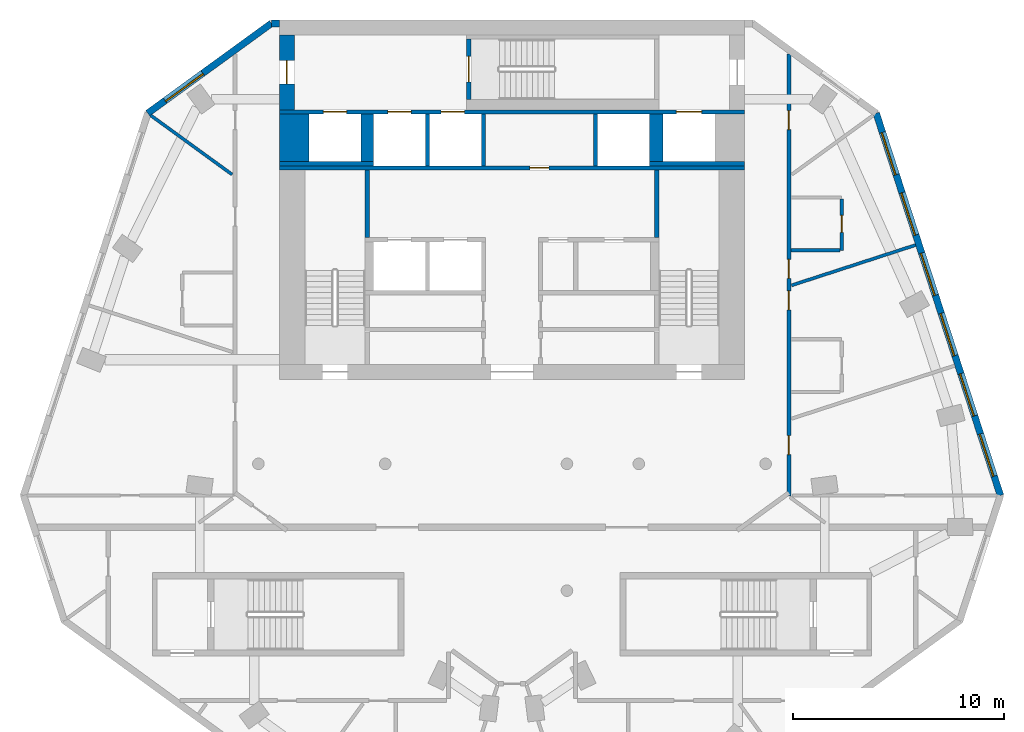
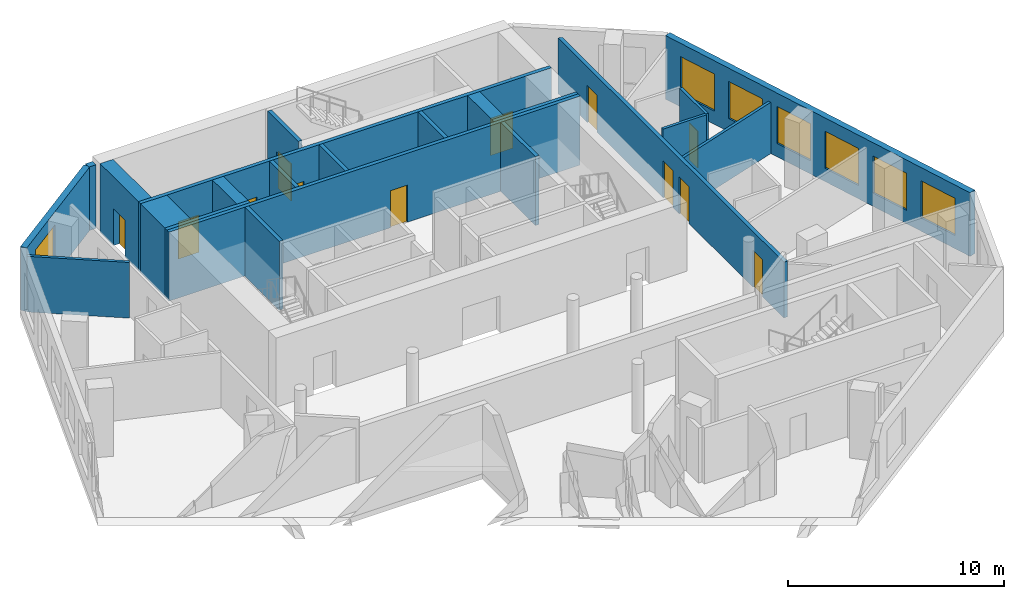
# One storey, part 5 of 8: 22 walls, 12 doors, 7 windows, 19 openings.
"""IFC4 building model written with IfcOpenShell, lengths in metres."""

from ifc_helpers import new_model, si_unit, direction, frame, frame_2d, origin, place, context, subcontext, project, spatial, rectangle, extrude, material, layer, layer_set, type_object, element, fill, save


model = new_model("IFC4")

# Units and contexts
model_context = context("Model", 3, precision=1e-05, world=origin(), true_north=direction((0.0, 1.0)))
body_context = subcontext(model_context, "Body", "Model", "MODEL_VIEW")
ifc_project = project(units=[si_unit("LENGTHUNIT", "METRE"), si_unit("AREAUNIT", "SQUARE_METRE"), si_unit("VOLUMEUNIT", "CUBIC_METRE"), si_unit("PLANEANGLEUNIT", "RADIAN"), si_unit("MASSUNIT", "GRAM", prefix="KILO")], contexts=[model_context])

# Site, building, storey
site_placement = place(None, origin())
site = spatial("IfcSite", under=ifc_project, at=site_placement, CompositionType="ELEMENT")
building_placement = place(site_placement, origin())
building = spatial("IfcBuilding", under=site, at=building_placement, Name="White Candle Pilgrim Tower", CompositionType="ELEMENT")
storey_placement = place(building_placement, frame((0.0, 0.0, 279.5)))
storey = spatial("IfcBuildingStorey", under=building, at=storey_placement, Name="L66", CompositionType="ELEMENT", Elevation=279.5)

# Walls
ifc_material_1 = material(Name="Concrete C50/60", Category="concrete")
ifc_layer_1 = layer(ifc_material_1, 1.39990234375)
ifc_layer_set_1 = layer_set([ifc_layer_1], Name="Core wall 1400 mm Concrete C50/60")
wall_type_1 = type_object("IfcWallType", Name="Core wall 1400 mm Concrete C50/60", PredefinedType="SHEAR", material=ifc_layer_set_1)
wall_1_placement = place(storey_placement, frame((59.699951171875, 81.300048828125, 0.0), z_axis=(0.0, 0.0, 1.0), x_axis=(0.0, 1.0, 0.0)))
element("IfcWall", 1, at=wall_1_placement, inside=storey, type_object=wall_type_1, Name="WL-L66-C42", PredefinedType="SHEAR", context=body_context, shape_type="SweptSolid", body=[
    extrude(rectangle(XDim=2.25, YDim=1.39990234375, at=frame_2d((1.125, 0.0))), origin(), (0.0, 0.0, 1.0), 3.89990234375),
])
ifc_layer_2 = layer(ifc_material_1, 0.199951171875)
ifc_layer_set_2 = layer_set([ifc_layer_2], Name="Core wall 200 mm Concrete C50/60")
wall_type_2 = type_object("IfcWallType", Name="Core wall 200 mm Concrete C50/60", PredefinedType="SHEAR", material=ifc_layer_set_2)
wall_2_placement = place(storey_placement, frame((59.0, 81.199951171875, 0.0), z_axis=(0.0, 0.0, 1.0), x_axis=(1.0, 0.0, 0.0)))
element("IfcWall", 2, at=wall_2_placement, inside=storey, type_object=wall_type_2, Name="WL-L66-C37", PredefinedType="SHEAR", context=body_context, shape_type="SweptSolid", body=[
    extrude(rectangle(XDim=4.449951171875, YDim=0.199951171875, at=frame_2d((2.22509765625, 0.0))), origin(), (0.0, 0.0, 1.0), 3.89990234375),
])
wall_3_placement = place(storey_placement, frame((76.5, 81.199951171875, 0.0), z_axis=(0.0, 0.0, 1.0), x_axis=(1.0, 0.0, 0.0)))
element("IfcWall", 3, at=wall_3_placement, inside=storey, type_object=wall_type_2, Name="WL-L66-C41", PredefinedType="SHEAR", context=body_context, shape_type="SweptSolid", body=[
    extrude(rectangle(XDim=4.5, YDim=0.199951171875, at=frame_2d((2.25, 0.0))), origin(), (0.0, 0.0, 1.0), 3.89990234375),
])

# Wall, openings, doors
wall_4_placement = place(storey_placement, frame((59.0, 83.64990234375, 0.0), z_axis=(0.0, 0.0, 1.0), x_axis=(1.0, 0.0, 0.0)))
wall_4 = element("IfcWall", 4, at=wall_4_placement, inside=storey, type_object=wall_type_2, Name="WL-L66-C46", PredefinedType="SHEAR", context=body_context, shape_type="SweptSolid", body=[
    extrude(rectangle(XDim=22.0, YDim=0.199951171875, at=frame_2d((11.0, 0.0))), origin(), (0.0, 0.0, 1.0), 3.89990234375),
])
opening_1_placement = place(wall_4_placement, frame((5.125, 0.0, 0.0)))
opening_1 = element("IfcOpeningElement", 5, at=opening_1_placement, cuts=wall_4, Name="Opening T20-017", PredefinedType="OPENING", context=body_context, shape_type="SweptSolid", body=[
    extrude(rectangle(XDim=1.10009765625, YDim=2.10009765625, at=frame_2d((0.550048828125, 1.050048828125))), frame((0.0, 0.10986328125, 0.0), z_axis=(0.0, -1.0, 0.0), x_axis=(1.0, 0.0, 0.0)), (0.0, 0.0, 1.0), 0.219970703125),
])
opening_2_placement = place(wall_4_placement, frame((7.64990234375, 0.0, 0.0)))
opening_2 = element("IfcOpeningElement", 6, at=opening_2_placement, cuts=wall_4, Name="Opening T20-018", PredefinedType="OPENING", context=body_context, shape_type="SweptSolid", body=[
    extrude(rectangle(XDim=1.10009765625, YDim=2.10009765625, at=frame_2d((0.550048828125, 1.050048828125))), frame((0.0, 0.10986328125, 0.0), z_axis=(0.0, -1.0, 0.0), x_axis=(1.0, 0.0, 0.0)), (0.0, 0.0, 1.0), 0.219970703125),
])
opening_3_placement = place(wall_4_placement, frame((18.77490234375, 0.0, 0.0)))
opening_3 = element("IfcOpeningElement", 7, at=opening_3_placement, cuts=wall_4, Name="Opening T20-019", PredefinedType="OPENING", context=body_context, shape_type="SweptSolid", body=[
    extrude(rectangle(XDim=1.199951171875, YDim=2.10009765625, at=frame_2d((0.60009765625, 1.050048828125))), frame((0.0, 0.10986328125, 0.0), z_axis=(0.0, -1.0, 0.0), x_axis=(1.0, 0.0, 0.0)), (0.0, 0.0, 1.0), 0.219970703125),
])
opening_4_placement = place(wall_4_placement, frame((2.074951171875, 0.0, 0.0)))
opening_4 = element("IfcOpeningElement", 8, at=opening_4_placement, cuts=wall_4, Name="Opening T20-020", PredefinedType="OPENING", context=body_context, shape_type="SweptSolid", body=[
    extrude(rectangle(XDim=1.10009765625, YDim=2.10009765625, at=frame_2d((0.550048828125, 1.050048828125))), frame((0.0, 0.10986328125, 0.0), z_axis=(0.0, -1.0, 0.0), x_axis=(1.0, 0.0, 0.0)), (0.0, 0.0, 1.0), 0.219970703125),
])
ifc_material_2 = material(Name="Stainless steel", Category="steel")
door_type_1 = type_object("IfcDoorType", Name="Lift landing door 1100 x 2100 EI 60", OperationType="DOUBLE_DOOR_SLIDING", PredefinedType="DOOR", material=ifc_material_2)
door_1_placement = place(opening_1_placement, origin())
door_1 = element("IfcDoor", 9, at=door_1_placement, inside=storey, type_object=door_type_1, Name="Door T20-017", OperationType="DOUBLE_DOOR_SLIDING", OverallHeight=2.10009765625, OverallWidth=1.10009765625, PredefinedType="DOOR", context=body_context, shape_type="SweptSolid", body=[
    extrude(rectangle(XDim=1.10009765625, YDim=2.10009765625, at=frame_2d((0.550048828125, 1.050048828125))), frame((0.0, 0.02490234375, 0.0), z_axis=(0.0, -1.0, 0.0), x_axis=(1.0, 0.0, 0.0)), (0.0, 0.0, 1.0), 0.050048828125),
])
fill(opening_1, door_1)
door_2_placement = place(opening_2_placement, origin())
door_2 = element("IfcDoor", 10, at=door_2_placement, inside=storey, type_object=door_type_1, Name="Door T20-018", OperationType="DOUBLE_DOOR_SLIDING", OverallHeight=2.10009765625, OverallWidth=1.10009765625, PredefinedType="DOOR", context=body_context, shape_type="SweptSolid", body=[
    extrude(rectangle(XDim=1.10009765625, YDim=2.10009765625, at=frame_2d((0.550048828125, 1.050048828125))), frame((0.0, 0.02490234375, 0.0), z_axis=(0.0, -1.0, 0.0), x_axis=(1.0, 0.0, 0.0)), (0.0, 0.0, 1.0), 0.050048828125),
])
fill(opening_2, door_2)
door_3_placement = place(opening_4_placement, origin())
door_3 = element("IfcDoor", 11, at=door_3_placement, inside=storey, type_object=door_type_1, Name="Door T20-020", OperationType="DOUBLE_DOOR_SLIDING", OverallHeight=2.10009765625, OverallWidth=1.10009765625, PredefinedType="DOOR", context=body_context, shape_type="SweptSolid", body=[
    extrude(rectangle(XDim=1.10009765625, YDim=2.10009765625, at=frame_2d((0.550048828125, 1.050048828125))), frame((0.0, 0.02490234375, 0.0), z_axis=(0.0, -1.0, 0.0), x_axis=(1.0, 0.0, 0.0)), (0.0, 0.0, 1.0), 0.050048828125),
])
fill(opening_4, door_3)
door_type_2 = type_object("IfcDoorType", Name="Lift landing door 1200 x 2100 E 60", OperationType="DOUBLE_DOOR_SLIDING", PredefinedType="DOOR", material=ifc_material_2)
door_4_placement = place(opening_3_placement, origin())
door_4 = element("IfcDoor", 12, at=door_4_placement, inside=storey, type_object=door_type_2, Name="Door T20-019", OperationType="DOUBLE_DOOR_SLIDING", OverallHeight=2.10009765625, OverallWidth=1.199951171875, PredefinedType="DOOR", context=body_context, shape_type="SweptSolid", body=[
    extrude(rectangle(XDim=1.199951171875, YDim=2.10009765625, at=frame_2d((0.60009765625, 1.050048828125))), frame((0.0, 0.02490234375, 0.0), z_axis=(0.0, -1.0, 0.0), x_axis=(1.0, 0.0, 0.0)), (0.0, 0.0, 1.0), 0.050048828125),
])
fill(opening_3, door_4)

# Wall, opening, door
ifc_layer_3 = layer(ifc_material_1, 0.699951171875)
ifc_layer_set_3 = layer_set([ifc_layer_3], Name="Core wall 700 mm Concrete C50/60")
wall_type_3 = type_object("IfcWallType", Name="Core wall 700 mm Concrete C50/60", PredefinedType="SHEAR", material=ifc_layer_set_3)
wall_5_placement = place(storey_placement, frame((59.35009765625, 83.75, 0.0), z_axis=(0.0, 0.0, 1.0), x_axis=(0.0, 1.0, 0.0)))
wall_5 = element("IfcWall", 13, at=wall_5_placement, inside=storey, type_object=wall_type_3, Name="WL-L66-C47", PredefinedType="SHEAR", context=body_context, shape_type="SweptSolid", body=[
    extrude(rectangle(XDim=3.550048828125, YDim=0.699951171875, at=frame_2d((1.77490234375, 0.0))), origin(), (0.0, 0.0, 1.0), 3.89990234375),
])
opening_5_placement = place(wall_5_placement, frame((1.22509765625, 0.0, 0.0)))
opening_5 = element("IfcOpeningElement", 14, at=opening_5_placement, cuts=wall_5, Name="Opening T20-009", PredefinedType="OPENING", context=body_context, shape_type="SweptSolid", body=[
    extrude(rectangle(XDim=1.10009765625, YDim=2.10009765625, at=frame_2d((0.550048828125, 1.050048828125))), frame((0.0, 0.35986328125, 0.0), z_axis=(0.0, -1.0, 0.0), x_axis=(1.0, 0.0, 0.0)), (0.0, 0.0, 1.0), 0.719970703125),
])
ifc_material_3 = material(Name="Steel door leaf", Category="steel")
door_type_3 = type_object("IfcDoorType", Name="Fire door 1100 x 2100 EI 60", OperationType="NOTDEFINED", PredefinedType="DOOR", material=ifc_material_3)
door_5_placement = place(opening_5_placement, origin())
door_5 = element("IfcDoor", 15, at=door_5_placement, inside=storey, type_object=door_type_3, Name="Door T20-009", OperationType="SINGLE_SWING_LEFT", OverallHeight=2.10009765625, OverallWidth=1.10009765625, PredefinedType="DOOR", context=body_context, shape_type="SweptSolid", body=[
    extrude(rectangle(XDim=1.10009765625, YDim=2.10009765625, at=frame_2d((0.550048828125, 1.050048828125))), frame((0.0, 0.02490234375, 0.0), z_axis=(0.0, -1.0, 0.0), x_axis=(1.0, 0.0, 0.0)), (0.0, 0.0, 1.0), 0.050048828125),
])
fill(opening_5, door_5)

# Wall, openings, doors
ifc_material_4 = material(Name="Gypsum board on steel studs", Category="steel")
ifc_layer_4 = layer(ifc_material_4, 0.199951171875)
ifc_layer_set_4 = layer_set([ifc_layer_4], Name="Corridor wall 200 mm EI 45")
wall_type_4 = type_object("IfcWallType", Name="Corridor wall 200 mm EI 45", PredefinedType="PARTITIONING", material=ifc_layer_set_4)
wall_6_placement = place(storey_placement, frame((83.10009765625, 86.396240234375, 0.0), z_axis=(0.0, 0.0, 1.0), x_axis=(0.0, -1.0, 0.0)))
wall_6 = element("IfcWall", 16, at=wall_6_placement, inside=storey, type_object=wall_type_4, Name="WL-L66-P004", PredefinedType="PARTITIONING", context=body_context, shape_type="SweptSolid", body=[
    extrude(rectangle(XDim=20.91943359375, YDim=0.199951171875, at=frame_2d((10.459716796875, 0.0))), origin(), (0.0, 0.0, 1.0), 3.14990234375),
])
opening_6_placement = place(wall_6_placement, frame((2.68798828125, 0.0, 0.0)))
opening_6 = element("IfcOpeningElement", 17, at=opening_6_placement, cuts=wall_6, Name="Opening T20-117", PredefinedType="OPENING", context=body_context, shape_type="SweptSolid", body=[
    extrude(rectangle(XDim=0.89990234375, YDim=2.10009765625, at=frame_2d((0.449951171875, 1.050048828125))), frame((0.0, 0.10986328125, 0.0), z_axis=(0.0, -1.0, 0.0), x_axis=(1.0, 0.0, 0.0)), (0.0, 0.0, 1.0), 0.219970703125),
])
opening_7_placement = place(wall_6_placement, frame((9.719970703125, 0.0, 0.0)))
opening_7 = element("IfcOpeningElement", 18, at=opening_7_placement, cuts=wall_6, Name="Opening T20-118", PredefinedType="OPENING", context=body_context, shape_type="SweptSolid", body=[
    extrude(rectangle(XDim=0.89990234375, YDim=2.10009765625, at=frame_2d((0.449951171875, 1.050048828125))), frame((0.0, 0.10986328125, 0.0), z_axis=(0.0, -1.0, 0.0), x_axis=(1.0, 0.0, 0.0)), (0.0, 0.0, 1.0), 0.219970703125),
])
opening_8_placement = place(wall_6_placement, frame((11.214111328125, 0.0, 0.0)))
opening_8 = element("IfcOpeningElement", 19, at=opening_8_placement, cuts=wall_6, Name="Opening T20-119", PredefinedType="OPENING", context=body_context, shape_type="SweptSolid", body=[
    extrude(rectangle(XDim=0.89990234375, YDim=2.10009765625, at=frame_2d((0.449951171875, 1.050048828125))), frame((0.0, 0.10986328125, 0.0), z_axis=(0.0, -1.0, 0.0), x_axis=(1.0, 0.0, 0.0)), (0.0, 0.0, 1.0), 0.219970703125),
])
opening_9_placement = place(wall_6_placement, frame((18.05859375, 0.0, 0.0)))
opening_9 = element("IfcOpeningElement", 20, at=opening_9_placement, cuts=wall_6, Name="Opening T20-120", PredefinedType="OPENING", context=body_context, shape_type="SweptSolid", body=[
    extrude(rectangle(XDim=0.89990234375, YDim=2.10009765625, at=frame_2d((0.449951171875, 1.050048828125))), frame((0.0, 0.10986328125, 0.0), z_axis=(0.0, -1.0, 0.0), x_axis=(1.0, 0.0, 0.0)), (0.0, 0.0, 1.0), 0.219970703125),
])
door_type_4 = type_object("IfcDoorType", Name="Fire door 900 x 2100 EI 30", OperationType="NOTDEFINED", PredefinedType="DOOR", material=ifc_material_3)
door_6_placement = place(opening_6_placement, origin())
door_6 = element("IfcDoor", 21, at=door_6_placement, inside=storey, type_object=door_type_4, Name="Door T20-117", OperationType="SINGLE_SWING_LEFT", OverallHeight=2.10009765625, OverallWidth=0.89990234375, PredefinedType="DOOR", context=body_context, shape_type="SweptSolid", body=[
    extrude(rectangle(XDim=0.89990234375, YDim=2.10009765625, at=frame_2d((0.449951171875, 1.050048828125))), frame((0.0, 0.02490234375, 0.0), z_axis=(0.0, -1.0, 0.0), x_axis=(1.0, 0.0, 0.0)), (0.0, 0.0, 1.0), 0.050048828125),
])
fill(opening_6, door_6)
door_7_placement = place(opening_7_placement, origin())
door_7 = element("IfcDoor", 22, at=door_7_placement, inside=storey, type_object=door_type_4, Name="Door T20-118", OperationType="SINGLE_SWING_RIGHT", OverallHeight=2.10009765625, OverallWidth=0.89990234375, PredefinedType="DOOR", context=body_context, shape_type="SweptSolid", body=[
    extrude(rectangle(XDim=0.89990234375, YDim=2.10009765625, at=frame_2d((0.449951171875, 1.050048828125))), frame((0.0, 0.02490234375, 0.0), z_axis=(0.0, -1.0, 0.0), x_axis=(1.0, 0.0, 0.0)), (0.0, 0.0, 1.0), 0.050048828125),
])
fill(opening_7, door_7)
door_8_placement = place(opening_8_placement, origin())
door_8 = element("IfcDoor", 23, at=door_8_placement, inside=storey, type_object=door_type_4, Name="Door T20-119", OperationType="SINGLE_SWING_LEFT", OverallHeight=2.10009765625, OverallWidth=0.89990234375, PredefinedType="DOOR", context=body_context, shape_type="SweptSolid", body=[
    extrude(rectangle(XDim=0.89990234375, YDim=2.10009765625, at=frame_2d((0.449951171875, 1.050048828125))), frame((0.0, 0.02490234375, 0.0), z_axis=(0.0, -1.0, 0.0), x_axis=(1.0, 0.0, 0.0)), (0.0, 0.0, 1.0), 0.050048828125),
])
fill(opening_8, door_8)
door_9_placement = place(opening_9_placement, origin())
door_9 = element("IfcDoor", 24, at=door_9_placement, inside=storey, type_object=door_type_4, Name="Door T20-120", OperationType="SINGLE_SWING_RIGHT", OverallHeight=2.10009765625, OverallWidth=0.89990234375, PredefinedType="DOOR", context=body_context, shape_type="SweptSolid", body=[
    extrude(rectangle(XDim=0.89990234375, YDim=2.10009765625, at=frame_2d((0.449951171875, 1.050048828125))), frame((0.0, 0.02490234375, 0.0), z_axis=(0.0, -1.0, 0.0), x_axis=(1.0, 0.0, 0.0)), (0.0, 0.0, 1.0), 0.050048828125),
])
fill(opening_9, door_9)

# Wall, openings, windows
ifc_material_5 = material(Name="Precast concrete C40/50", Category="concrete")
ifc_layer_5 = layer(ifc_material_5, 0.320068359375)
ifc_layer_set_5 = layer_set([ifc_layer_5], Name="Facade wall EW1 precast concrete C40/50 pier wall with timber-lined reveals")
wall_type_5 = type_object("IfcWallType", Name="Facade wall EW1 precast concrete C40/50 pier wall with timber-lined reveals", PredefinedType="SOLIDWALL", material=ifc_layer_set_5)
wall_7_placement = place(storey_placement, frame((93.1103515625, 65.50634765625, 0.0), z_axis=(0.0, 0.0, 1.0), x_axis=(-0.309027135181, 0.951053221288, 0.0)))
wall_7 = element("IfcWall", 25, at=wall_7_placement, inside=storey, type_object=wall_type_5, Name="Facade wall L66 ENE", PredefinedType="SOLIDWALL", context=body_context, shape_type="SweptSolid", body=[
    extrude(rectangle(XDim=19.014404296875, YDim=0.320068359375, at=frame_2d((9.50732421875, 0.0))), origin(), (0.0, 0.0, 1.0), 3.60009765625),
])
opening_10_placement = place(wall_7_placement, frame((0.957275390625, 0.0, 0.75)))
opening_10 = element("IfcOpeningElement", 26, at=opening_10_placement, cuts=wall_7, Name="Opening W3", PredefinedType="OPENING", context=body_context, shape_type="SweptSolid", body=[
    extrude(rectangle(XDim=2.10009765625, YDim=2.10009765625, at=frame_2d((1.050048828125, 1.050048828125))), frame((0.0, 0.169921875, 0.0), z_axis=(0.0, -1.0, 0.0), x_axis=(1.0, 0.0, 0.0)), (0.0, 0.0, 1.0), 0.340087890625),
])
opening_11_placement = place(wall_7_placement, frame((3.957275390625, 0.0, 0.75)))
opening_11 = element("IfcOpeningElement", 27, at=opening_11_placement, cuts=wall_7, Name="Opening W3", PredefinedType="OPENING", context=body_context, shape_type="SweptSolid", body=[
    extrude(rectangle(XDim=2.10009765625, YDim=2.10009765625, at=frame_2d((1.050048828125, 1.050048828125))), frame((0.0, 0.169921875, 0.0), z_axis=(0.0, -1.0, 0.0), x_axis=(1.0, 0.0, 0.0)), (0.0, 0.0, 1.0), 0.340087890625),
])
opening_12_placement = place(wall_7_placement, frame((6.957275390625, 0.0, 0.75)))
opening_12 = element("IfcOpeningElement", 28, at=opening_12_placement, cuts=wall_7, Name="Opening W3", PredefinedType="OPENING", context=body_context, shape_type="SweptSolid", body=[
    extrude(rectangle(XDim=2.10009765625, YDim=2.10009765625, at=frame_2d((1.050048828125, 1.050048828125))), frame((0.0, 0.169921875, 0.0), z_axis=(0.0, -1.0, 0.0), x_axis=(1.0, 0.0, 0.0)), (0.0, 0.0, 1.0), 0.340087890625),
])
opening_13_placement = place(wall_7_placement, frame((9.957275390625, 0.0, 0.75)))
opening_13 = element("IfcOpeningElement", 29, at=opening_13_placement, cuts=wall_7, Name="Opening W3", PredefinedType="OPENING", context=body_context, shape_type="SweptSolid", body=[
    extrude(rectangle(XDim=2.10009765625, YDim=2.10009765625, at=frame_2d((1.050048828125, 1.050048828125))), frame((0.0, 0.169921875, 0.0), z_axis=(0.0, -1.0, 0.0), x_axis=(1.0, 0.0, 0.0)), (0.0, 0.0, 1.0), 0.340087890625),
])
opening_14_placement = place(wall_7_placement, frame((12.957275390625, 0.0, 0.75)))
opening_14 = element("IfcOpeningElement", 30, at=opening_14_placement, cuts=wall_7, Name="Opening W3", PredefinedType="OPENING", context=body_context, shape_type="SweptSolid", body=[
    extrude(rectangle(XDim=2.10009765625, YDim=2.10009765625, at=frame_2d((1.050048828125, 1.050048828125))), frame((0.0, 0.169921875, 0.0), z_axis=(0.0, -1.0, 0.0), x_axis=(1.0, 0.0, 0.0)), (0.0, 0.0, 1.0), 0.340087890625),
])
opening_15_placement = place(wall_7_placement, frame((15.957275390625, 0.0, 0.75)))
opening_15 = element("IfcOpeningElement", 31, at=opening_15_placement, cuts=wall_7, Name="Opening W3", PredefinedType="OPENING", context=body_context, shape_type="SweptSolid", body=[
    extrude(rectangle(XDim=2.10009765625, YDim=2.10009765625, at=frame_2d((1.050048828125, 1.050048828125))), frame((0.0, 0.169921875, 0.0), z_axis=(0.0, -1.0, 0.0), x_axis=(1.0, 0.0, 0.0)), (0.0, 0.0, 1.0), 0.340087890625),
])
ifc_material_6 = material(Name="Timber frame with triple glazing", Category="wood")
window_type_1 = type_object("IfcWindowType", Name="Window W3 2100x2100 timber frame triple glazing", PartitioningType="SINGLE_PANEL", PredefinedType="WINDOW", material=ifc_material_6)
window_1_placement = place(opening_10_placement, origin())
window_1 = element("IfcWindow", 32, at=window_1_placement, inside=storey, type_object=window_type_1, Name="Window W3 L66 ENE 1", OverallHeight=2.10009765625, OverallWidth=2.10009765625, PartitioningType="SINGLE_PANEL", PredefinedType="WINDOW", context=body_context, shape_type="SweptSolid", body=[
    extrude(rectangle(XDim=2.10009765625, YDim=2.10009765625, at=frame_2d((1.050048828125, 1.050048828125))), frame((0.0, 0.070068359375, 0.0), z_axis=(0.0, -1.0, 0.0), x_axis=(1.0, 0.0, 0.0)), (0.0, 0.0, 1.0), 0.06005859375),
])
fill(opening_10, window_1)
window_2_placement = place(opening_11_placement, origin())
window_2 = element("IfcWindow", 33, at=window_2_placement, inside=storey, type_object=window_type_1, Name="Window W3 L66 ENE 2", OverallHeight=2.10009765625, OverallWidth=2.10009765625, PartitioningType="SINGLE_PANEL", PredefinedType="WINDOW", context=body_context, shape_type="SweptSolid", body=[
    extrude(rectangle(XDim=2.10009765625, YDim=2.10009765625, at=frame_2d((1.050048828125, 1.050048828125))), frame((0.0, 0.070068359375, 0.0), z_axis=(0.0, -1.0, 0.0), x_axis=(1.0, 0.0, 0.0)), (0.0, 0.0, 1.0), 0.06005859375),
])
fill(opening_11, window_2)
window_3_placement = place(opening_12_placement, origin())
window_3 = element("IfcWindow", 34, at=window_3_placement, inside=storey, type_object=window_type_1, Name="Window W3 L66 ENE 3", OverallHeight=2.10009765625, OverallWidth=2.10009765625, PartitioningType="SINGLE_PANEL", PredefinedType="WINDOW", context=body_context, shape_type="SweptSolid", body=[
    extrude(rectangle(XDim=2.10009765625, YDim=2.10009765625, at=frame_2d((1.050048828125, 1.050048828125))), frame((0.0, 0.070068359375, 0.0), z_axis=(0.0, -1.0, 0.0), x_axis=(1.0, 0.0, 0.0)), (0.0, 0.0, 1.0), 0.06005859375),
])
fill(opening_12, window_3)
window_4_placement = place(opening_13_placement, origin())
window_4 = element("IfcWindow", 35, at=window_4_placement, inside=storey, type_object=window_type_1, Name="Window W3 L66 ENE 4", OverallHeight=2.10009765625, OverallWidth=2.10009765625, PartitioningType="SINGLE_PANEL", PredefinedType="WINDOW", context=body_context, shape_type="SweptSolid", body=[
    extrude(rectangle(XDim=2.10009765625, YDim=2.10009765625, at=frame_2d((1.050048828125, 1.050048828125))), frame((0.0, 0.070068359375, 0.0), z_axis=(0.0, -1.0, 0.0), x_axis=(1.0, 0.0, 0.0)), (0.0, 0.0, 1.0), 0.06005859375),
])
fill(opening_13, window_4)
window_5_placement = place(opening_14_placement, origin())
window_5 = element("IfcWindow", 36, at=window_5_placement, inside=storey, type_object=window_type_1, Name="Window W3 L66 ENE 5", OverallHeight=2.10009765625, OverallWidth=2.10009765625, PartitioningType="SINGLE_PANEL", PredefinedType="WINDOW", context=body_context, shape_type="SweptSolid", body=[
    extrude(rectangle(XDim=2.10009765625, YDim=2.10009765625, at=frame_2d((1.050048828125, 1.050048828125))), frame((0.0, 0.070068359375, 0.0), z_axis=(0.0, -1.0, 0.0), x_axis=(1.0, 0.0, 0.0)), (0.0, 0.0, 1.0), 0.06005859375),
])
fill(opening_14, window_5)
window_6_placement = place(opening_15_placement, origin())
window_6 = element("IfcWindow", 37, at=window_6_placement, inside=storey, type_object=window_type_1, Name="Window W3 L66 ENE 6", OverallHeight=2.10009765625, OverallWidth=2.10009765625, PartitioningType="SINGLE_PANEL", PredefinedType="WINDOW", context=body_context, shape_type="SweptSolid", body=[
    extrude(rectangle(XDim=2.10009765625, YDim=2.10009765625, at=frame_2d((1.050048828125, 1.050048828125))), frame((0.0, 0.070068359375, 0.0), z_axis=(0.0, -1.0, 0.0), x_axis=(1.0, 0.0, 0.0)), (0.0, 0.0, 1.0), 0.06005859375),
])
fill(opening_15, window_6)

# Wall
wall_8_placement = place(storey_placement, frame((59.0, 87.840087890625, 0.0), z_axis=(0.0, 0.0, 1.0), x_axis=(-1.0, 0.0, 0.0)))
element("IfcWall", 38, at=wall_8_placement, inside=storey, type_object=wall_type_5, Name="Facade wall L66 N", PredefinedType="SOLIDWALL", context=body_context, shape_type="SweptSolid", body=[
    extrude(rectangle(XDim=0.385009765625, YDim=0.320068359375, at=frame_2d((0.1923828125, 0.0))), origin(), (0.0, 0.0, 1.0), 3.60009765625),
])

# Wall, opening, window
wall_9_placement = place(storey_placement, frame((58.614990234375, 87.840087890625, 0.0), z_axis=(0.0, 0.0, 1.0), x_axis=(-0.809004669464, -0.587802215703, 0.0)))
wall_9 = element("IfcWall", 39, at=wall_9_placement, inside=storey, type_object=wall_type_5, Name="Facade wall L66 NW chamfer", PredefinedType="SOLIDWALL", context=body_context, shape_type="SweptSolid", body=[
    extrude(rectangle(XDim=7.230224609375, YDim=0.320068359375, at=frame_2d((3.615234375, 0.0))), origin(), (0.0, 0.0, 1.0), 3.60009765625),
])
opening_16_placement = place(wall_9_placement, frame((4.01513671875, 0.0, 0.75)))
opening_16 = element("IfcOpeningElement", 40, at=opening_16_placement, cuts=wall_9, Name="Opening W4", PredefinedType="OPENING", context=body_context, shape_type="SweptSolid", body=[
    extrude(rectangle(XDim=2.199951171875, YDim=2.10009765625, at=frame_2d((1.10009765625, 1.050048828125))), frame((0.0, 0.169921875, 0.0), z_axis=(0.0, -1.0, 0.0), x_axis=(1.0, 0.0, 0.0)), (0.0, 0.0, 1.0), 0.340087890625),
])
window_type_2 = type_object("IfcWindowType", Name="Window W4 2200x2100 timber frame triple glazing", PartitioningType="SINGLE_PANEL", PredefinedType="WINDOW", material=ifc_material_6)
window_7_placement = place(opening_16_placement, origin())
window_7 = element("IfcWindow", 41, at=window_7_placement, inside=storey, type_object=window_type_2, Name="Window W4 L66 NW chamfer 2", OverallHeight=2.10009765625, OverallWidth=2.199951171875, PartitioningType="SINGLE_PANEL", PredefinedType="WINDOW", context=body_context, shape_type="SweptSolid", body=[
    extrude(rectangle(XDim=2.199951171875, YDim=2.10009765625, at=frame_2d((1.10009765625, 1.050048828125))), frame((0.0, 0.070068359375, 0.0), z_axis=(0.0, -1.0, 0.0), x_axis=(1.0, 0.0, 0.0)), (0.0, 0.0, 1.0), 0.06005859375),
])
fill(opening_16, window_7)

# Walls
ifc_layer_6 = layer(ifc_material_4, 0.14990234375)
ifc_layer_set_6 = layer_set([ifc_layer_6], Name="Partition 150 mm EI 60")
wall_type_6 = type_object("IfcWallType", Name="Partition 150 mm EI 60", PredefinedType="PARTITIONING", material=ifc_layer_set_6)
wall_10_placement = place(storey_placement, frame((52.901611328125, 83.4912109375, 0.0), z_axis=(0.0, 0.0, 1.0), x_axis=(0.809015212762, -0.587787704464, 0.0)))
element("IfcWall", 42, at=wall_10_placement, inside=storey, type_object=wall_type_6, Name="WL-L66-P015", PredefinedType="PARTITIONING", context=body_context, shape_type="SweptSolid", body=[
    extrude(rectangle(XDim=4.76416015625, YDim=0.14990234375, at=frame_2d((2.382080078125, 0.0))), origin(), (0.0, 0.0, 1.0), 3.14990234375),
])
wall_11_placement = place(storey_placement, frame((89.093017578125, 77.351806640625, 0.0), z_axis=(0.0, 0.0, 1.0), x_axis=(-0.951057030792, -0.309015410912, 0.0)))
element("IfcWall", 43, at=wall_11_placement, inside=storey, type_object=wall_type_6, Name="WL-L66-P037", PredefinedType="PARTITIONING", context=body_context, shape_type="SweptSolid", body=[
    extrude(rectangle(XDim=6.171875, YDim=0.14990234375, at=frame_2d((3.0859375, 0.0))), origin(), (0.0, 0.0, 1.0), 2.89990234375),
])

# Wall, opening, door
wall_12_placement = place(storey_placement, frame((85.60009765625, 77.1044921875, 0.0), z_axis=(0.0, 0.0, 1.0), x_axis=(0.0, 1.0, 0.0)))
wall_12 = element("IfcWall", 44, at=wall_12_placement, inside=storey, type_object=wall_type_6, Name="WL-L66-P042", PredefinedType="PARTITIONING", context=body_context, shape_type="SweptSolid", body=[
    extrude(rectangle(XDim=2.425048828125, YDim=0.14990234375, at=frame_2d((1.21240234375, 0.0))), origin(), (0.0, 0.0, 1.0), 3.60009765625),
])
opening_17_placement = place(wall_12_placement, frame((0.85009765625, 0.0, 0.0)))
opening_17 = element("IfcOpeningElement", 45, at=opening_17_placement, cuts=wall_12, Name="Opening T20-110", PredefinedType="OPENING", context=body_context, shape_type="SweptSolid", body=[
    extrude(rectangle(XDim=0.800048828125, YDim=2.10009765625, at=frame_2d((0.39990234375, 1.050048828125))), frame((0.0, 0.0849609375, 0.0), z_axis=(0.0, -1.0, 0.0), x_axis=(1.0, 0.0, 0.0)), (0.0, 0.0, 1.0), 0.169921875),
])
door_type_5 = type_object("IfcDoorType", Name="Fire door 800 x 2100 EI 30", OperationType="NOTDEFINED", PredefinedType="DOOR", material=ifc_material_3)
door_10_placement = place(opening_17_placement, frame((0.800048828125, 0.0, 0.0), z_axis=(0.0, 0.0, 1.0), x_axis=(-1.0, 0.0, 0.0)))
door_10 = element("IfcDoor", 46, at=door_10_placement, inside=storey, type_object=door_type_5, Name="Door T20-110", OperationType="SINGLE_SWING_LEFT", OverallHeight=2.10009765625, OverallWidth=0.800048828125, PredefinedType="DOOR", context=body_context, shape_type="SweptSolid", body=[
    extrude(rectangle(XDim=0.800048828125, YDim=2.10009765625, at=frame_2d((0.39990234375, 1.050048828125))), frame((0.0, 0.02490234375, 0.0), z_axis=(0.0, -1.0, 0.0), x_axis=(1.0, 0.0, 0.0)), (0.0, 0.0, 1.0), 0.050048828125),
])
fill(opening_17, door_10)

# Walls
wall_13_placement = place(storey_placement, frame((83.199951171875, 77.1044921875, 0.0), z_axis=(0.0, 0.0, 1.0), x_axis=(1.0, 0.0, 0.0)))
element("IfcWall", 47, at=wall_13_placement, inside=storey, type_object=wall_type_6, Name="WL-L66-P043", PredefinedType="PARTITIONING", context=body_context, shape_type="SweptSolid", body=[
    extrude(rectangle(XDim=2.324951171875, YDim=0.14990234375, at=frame_2d((1.16259765625, 0.0))), origin(), (0.0, 0.0, 1.0), 3.60009765625),
])
ifc_layer_7 = layer(ifc_material_1, 0.199951171875)
ifc_layer_set_7 = layer_set([ifc_layer_7], Name="Shaft wall 200 mm Concrete C50/60")
wall_type_7 = type_object("IfcWallType", Name="Shaft wall 200 mm Concrete C50/60", PredefinedType="SHEAR", material=ifc_layer_set_7)
for number, where, z_axis, x_axis, name in (
    (48, (66.0, 81.10009765625, 0.0), (0.0, 0.0, 1.0), (0.0, 1.0, 0.0), "WL-L66-C38"),
    (49, (68.64990234375, 81.10009765625, 0.0), (0.0, 0.0, 1.0), (0.0, 1.0, 0.0), "WL-L66-C39"),
    (50, (73.949951171875, 81.10009765625, 0.0), (0.0, 0.0, 1.0), (0.0, 1.0, 0.0), "WL-L66-C40"),
):
    element("IfcWall", number, at=place(storey_placement, frame(where, z_axis=z_axis, x_axis=x_axis)), inside=storey, type_object=wall_type_7, Name=name, PredefinedType="SHEAR", context=body_context, shape_type="SweptSolid", body=[
        extrude(rectangle(XDim=2.449951171875, YDim=0.199951171875, at=frame_2d((1.22509765625, 0.0))), origin(), (0.0, 0.0, 1.0), 3.89990234375),
    ])
ifc_layer_8 = layer(ifc_material_1, 0.60009765625)
ifc_layer_set_8 = layer_set([ifc_layer_8], Name="Shaft wall 600 mm Concrete C50/60")
wall_type_8 = type_object("IfcWallType", Name="Shaft wall 600 mm Concrete C50/60", PredefinedType="SHEAR", material=ifc_layer_set_8)
wall_14_placement = place(storey_placement, frame((63.14990234375, 81.300048828125, 0.0), z_axis=(0.0, 0.0, 1.0), x_axis=(0.0, 1.0, 0.0)))
element("IfcWall", 51, at=wall_14_placement, inside=storey, type_object=wall_type_8, Name="WL-L66-C43", PredefinedType="SHEAR", context=body_context, shape_type="SweptSolid", body=[
    extrude(rectangle(XDim=2.25, YDim=0.60009765625, at=frame_2d((1.125, 0.0))), origin(), (0.0, 0.0, 1.0), 3.89990234375),
])
ifc_layer_9 = layer(ifc_material_1, 0.64990234375)
ifc_layer_set_9 = layer_set([ifc_layer_9], Name="Shaft wall 650 mm Concrete C50/60")
wall_type_9 = type_object("IfcWallType", Name="Shaft wall 650 mm Concrete C50/60", PredefinedType="SHEAR", material=ifc_layer_set_9)
wall_15_placement = place(storey_placement, frame((76.824951171875, 81.300048828125, 0.0), z_axis=(0.0, 0.0, 1.0), x_axis=(0.0, 1.0, 0.0)))
element("IfcWall", 52, at=wall_15_placement, inside=storey, type_object=wall_type_9, Name="WL-L66-C44", PredefinedType="SHEAR", context=body_context, shape_type="SweptSolid", body=[
    extrude(rectangle(XDim=2.25, YDim=0.64990234375, at=frame_2d((1.125, 0.0))), origin(), (0.0, 0.0, 1.0), 3.89990234375),
])
ifc_layer_10 = layer(ifc_material_1, 0.199951171875)
ifc_layer_set_10 = layer_set([ifc_layer_10], Name="Stair shaft wall 200 mm Concrete C50/60")
wall_type_10 = type_object("IfcWallType", Name="Stair shaft wall 200 mm Concrete C50/60", PredefinedType="SHEAR", material=ifc_layer_set_10)
for number, where, z_axis, x_axis, name in (
    (53, (63.14990234375, 77.699951171875, 0.0), (0.0, 0.0, 1.0), (0.0, 1.0, 0.0), "WL-L66-C34"),
    (54, (76.85009765625, 77.699951171875, 0.0), (0.0, 0.0, 1.0), (0.0, 1.0, 0.0), "WL-L66-C35"),
):
    element("IfcWall", number, at=place(storey_placement, frame(where, z_axis=z_axis, x_axis=x_axis)), inside=storey, type_object=wall_type_10, Name=name, PredefinedType="SHEAR", context=body_context, shape_type="SweptSolid", body=[
        extrude(rectangle(XDim=3.199951171875, YDim=0.199951171875, at=frame_2d((1.60009765625, 0.0))), origin(), (0.0, 0.0, 1.0), 3.89990234375),
    ])

# Wall, opening, door
wall_16_placement = place(storey_placement, frame((59.0, 81.0, 0.0), z_axis=(0.0, 0.0, 1.0), x_axis=(1.0, 0.0, 0.0)))
wall_16 = element("IfcWall", 55, at=wall_16_placement, inside=storey, type_object=wall_type_10, Name="WL-L66-C36", PredefinedType="SHEAR", context=body_context, shape_type="SweptSolid", body=[
    extrude(rectangle(XDim=22.0, YDim=0.199951171875, at=frame_2d((11.0, 0.0))), origin(), (0.0, 0.0, 1.0), 3.89990234375),
])
opening_18_placement = place(wall_16_placement, frame((11.85009765625, 0.0, 0.0)))
opening_18 = element("IfcOpeningElement", 56, at=opening_18_placement, cuts=wall_16, Name="Opening T20-023", PredefinedType="OPENING", context=body_context, shape_type="SweptSolid", body=[
    extrude(rectangle(XDim=0.89990234375, YDim=2.10009765625, at=frame_2d((0.449951171875, 1.050048828125))), frame((0.0, 0.10986328125, 0.0), z_axis=(0.0, -1.0, 0.0), x_axis=(1.0, 0.0, 0.0)), (0.0, 0.0, 1.0), 0.219970703125),
])
door_11_placement = place(opening_18_placement, origin())
door_11 = element("IfcDoor", 57, at=door_11_placement, inside=storey, type_object=door_type_4, Name="Door T20-023", OperationType="SINGLE_SWING_LEFT", OverallHeight=2.10009765625, OverallWidth=0.89990234375, PredefinedType="DOOR", context=body_context, shape_type="SweptSolid", body=[
    extrude(rectangle(XDim=0.89990234375, YDim=2.10009765625, at=frame_2d((0.449951171875, 1.050048828125))), frame((0.0, 0.02490234375, 0.0), z_axis=(0.0, -1.0, 0.0), x_axis=(1.0, 0.0, 0.0)), (0.0, 0.0, 1.0), 0.050048828125),
])
fill(opening_18, door_11)

wall_17_placement = place(storey_placement, frame((67.949951171875, 84.25, 0.0), z_axis=(0.0, 0.0, 1.0), x_axis=(0.0, 1.0, 0.0)))
wall_17 = element("IfcWall", 58, at=wall_17_placement, inside=storey, type_object=wall_type_10, Name="WL-L66-C50", PredefinedType="SHEAR", context=body_context, shape_type="SweptSolid", body=[
    extrude(rectangle(XDim=2.85009765625, YDim=0.199951171875, at=frame_2d((1.425048828125, 0.0))), origin(), (0.0, 0.0, 1.0), 3.89990234375),
])
opening_19_placement = place(wall_17_placement, frame((0.824951171875, 0.0, 0.0)))
opening_19 = element("IfcOpeningElement", 59, at=opening_19_placement, cuts=wall_17, Name="Opening T20-003", PredefinedType="OPENING", context=body_context, shape_type="SweptSolid", body=[
    extrude(rectangle(XDim=1.199951171875, YDim=2.10009765625, at=frame_2d((0.60009765625, 1.050048828125))), frame((0.0, 0.10986328125, 0.0), z_axis=(0.0, -1.0, 0.0), x_axis=(1.0, 0.0, 0.0)), (0.0, 0.0, 1.0), 0.219970703125),
])
door_type_6 = type_object("IfcDoorType", Name="Fire door 1200 x 2100 EI 60", OperationType="NOTDEFINED", PredefinedType="DOOR", material=ifc_material_3)
door_12_placement = place(opening_19_placement, frame((1.199951171875, 0.0, 0.0), z_axis=(0.0, 0.0, 1.0), x_axis=(-1.0, 0.0, 0.0)))
door_12 = element("IfcDoor", 60, at=door_12_placement, inside=storey, type_object=door_type_6, Name="Door T20-003", OperationType="SINGLE_SWING_RIGHT", OverallHeight=2.10009765625, OverallWidth=1.199951171875, PredefinedType="DOOR", context=body_context, shape_type="SweptSolid", body=[
    extrude(rectangle(XDim=1.199951171875, YDim=2.10009765625, at=frame_2d((0.60009765625, 1.050048828125))), frame((0.0, 0.02490234375, 0.0), z_axis=(0.0, -1.0, 0.0), x_axis=(1.0, 0.0, 0.0)), (0.0, 0.0, 1.0), 0.050048828125),
])
fill(opening_19, door_12)

save(model, "model.ifc")
